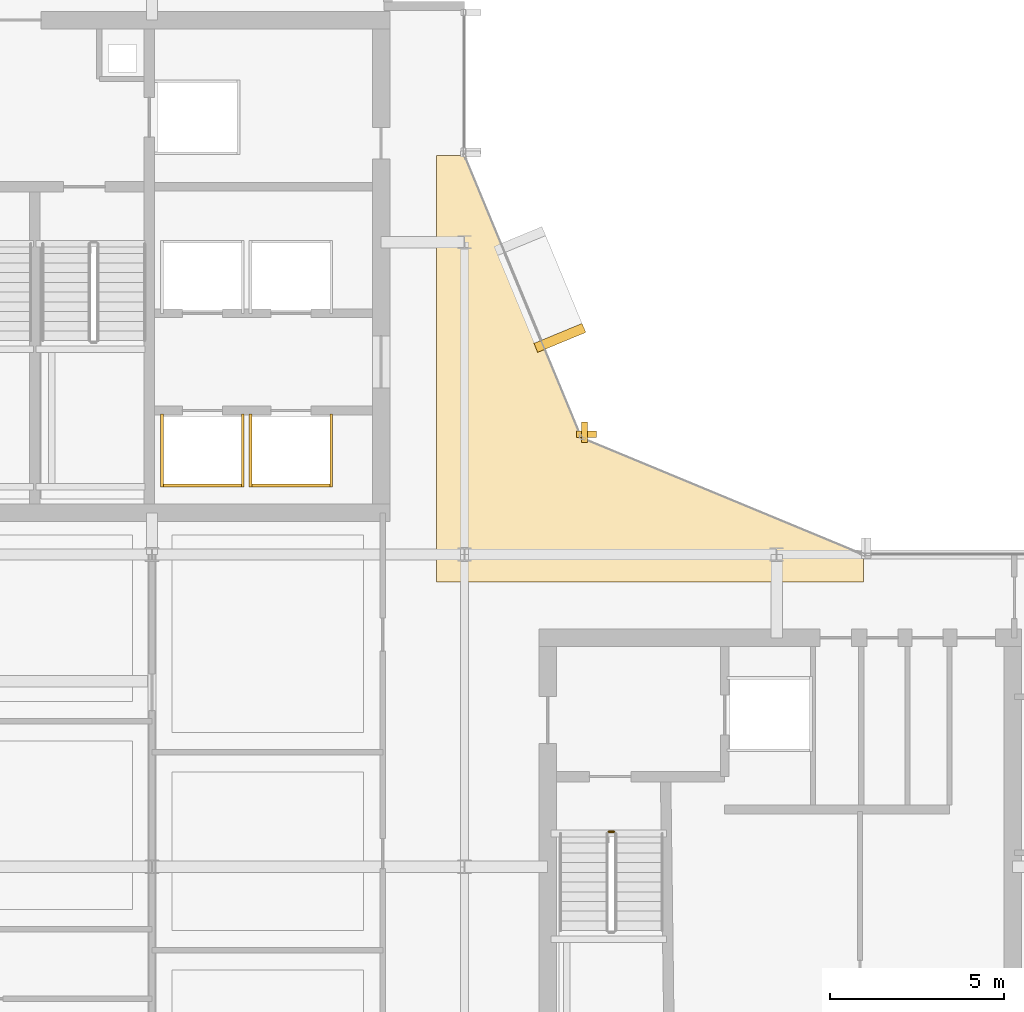
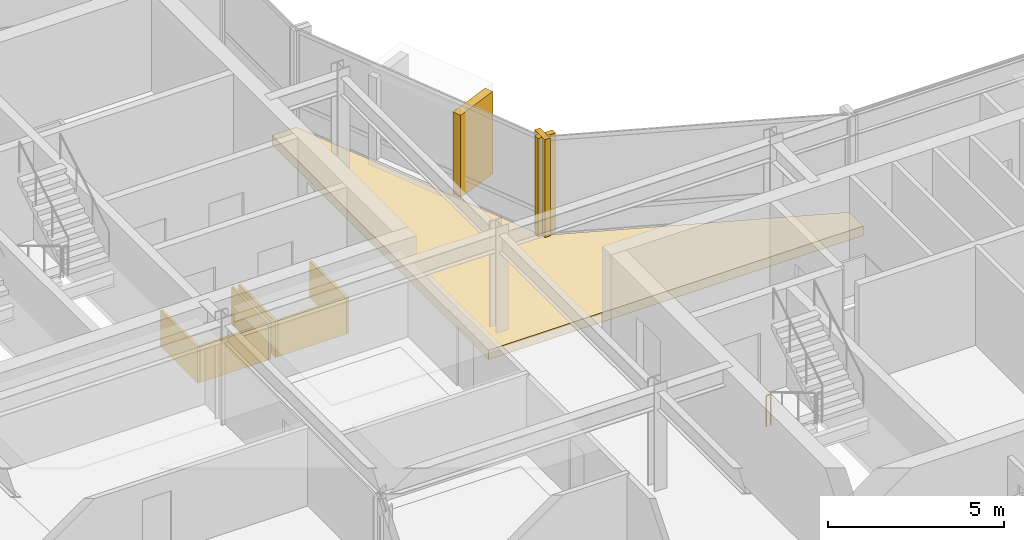
# One storey, part 26 of 28: 10 coverings, 1 railing.
"""IFC4 building model written with IfcOpenShell, lengths in metres."""

from ifc_helpers import new_model, si_unit, direction, frame, origin, origin_2d, place, context, subcontext, project, spatial, polyline, rectangle, circle, outline, extrude, material, layer, layer_set, type_object, element, save


model = new_model("IFC4")

# Units and contexts
model_context = context("Model", 3, precision=1e-05, world=origin(), true_north=direction((0.0, 1.0)))
body_context = subcontext(model_context, "Body", "Model", "MODEL_VIEW")
ifc_project = project(units=[si_unit("LENGTHUNIT", "METRE"), si_unit("AREAUNIT", "SQUARE_METRE"), si_unit("VOLUMEUNIT", "CUBIC_METRE"), si_unit("PLANEANGLEUNIT", "RADIAN"), si_unit("MASSUNIT", "GRAM", prefix="KILO")], contexts=[model_context])

# Site, building, storey
site_placement = place(None, origin())
site = spatial("IfcSite", under=ifc_project, at=site_placement, CompositionType="ELEMENT")
building_placement = place(site_placement, origin())
building = spatial("IfcBuilding", under=site, at=building_placement, Name="Solvaryn Broadcast Tower", CompositionType="ELEMENT")
storey_placement = place(building_placement, frame((0.0, 0.0, 213.60009765625)))
storey = spatial("IfcBuildingStorey", under=building, at=storey_placement, Name="L53", CompositionType="ELEMENT", Elevation=213.60009765625)

# Coverings
ifc_material_1 = material(Name="Fire-Rated Gypsum Shaftwall Liner", Category="concrete")
ifc_layer_1 = layer(ifc_material_1, 0.080078125)
ifc_layer_set_1 = layer_set([ifc_layer_1], Name="CV-SHAFT-LINER")
covering_type_1 = type_object("IfcCoveringType", Name="CV-SHAFT-LINER", PredefinedType="CLADDING", material=ifc_layer_set_1)
covering_1_placement = place(storey_placement, frame((19.449951171875, 28.985107421875, 0.0), z_axis=(0.0, 0.0, 1.0), x_axis=(1.0, 0.0, 0.0)))
element("IfcCovering", 1, at=covering_1_placement, inside=storey, type_object=covering_type_1, Name="L53 PH1 Hoistway Shaft Liner South", PredefinedType="CLADDING", context=body_context, shape_type="SweptSolid", body=[
    extrude(rectangle(XDim=2.409912109375, YDim=0.080078125, at=origin_2d()), origin(), (0.0, 0.0, 1.0), 1.25),
])
for number, where, z_axis, x_axis, name in (
    (2, (20.614990234375, 30.0, 0.0), (0.0, 0.0, 1.0), (1.0, 0.0, 0.0), "L53 PH1 Hoistway Shaft Liner East"),
    (3, (18.284912109375, 30.0, 0.0), (0.0, 0.0, 1.0), (1.0, 0.0, 0.0), "L53 PH1 Hoistway Shaft Liner West"),
):
    element("IfcCovering", number, at=place(storey_placement, frame(where, z_axis=z_axis, x_axis=x_axis)), inside=storey, type_object=covering_type_1, Name=name, PredefinedType="CLADDING", context=body_context, shape_type="SweptSolid", body=[
        extrude(rectangle(XDim=0.080078125, YDim=2.110107421875, at=origin_2d()), origin(), (0.0, 0.0, 1.0), 1.25),
    ])
covering_2_placement = place(storey_placement, frame((22.0, 28.985107421875, 0.0), z_axis=(0.0, 0.0, 1.0), x_axis=(1.0, 0.0, 0.0)))
element("IfcCovering", 4, at=covering_2_placement, inside=storey, type_object=covering_type_1, Name="L53 PH2 Hoistway Shaft Liner South", PredefinedType="CLADDING", context=body_context, shape_type="SweptSolid", body=[
    extrude(rectangle(XDim=2.409912109375, YDim=0.080078125, at=origin_2d()), origin(), (0.0, 0.0, 1.0), 1.25),
])
for number, where, z_axis, x_axis, name in (
    (5, (23.1650390625, 30.0, 0.0), (0.0, 0.0, 1.0), (1.0, 0.0, 0.0), "L53 PH2 Hoistway Shaft Liner East"),
    (6, (20.8349609375, 30.0, 0.0), (0.0, 0.0, 1.0), (1.0, 0.0, 0.0), "L53 PH2 Hoistway Shaft Liner West"),
):
    element("IfcCovering", number, at=place(storey_placement, frame(where, z_axis=z_axis, x_axis=x_axis)), inside=storey, type_object=covering_type_1, Name=name, PredefinedType="CLADDING", context=body_context, shape_type="SweptSolid", body=[
        extrude(rectangle(XDim=0.080078125, YDim=2.110107421875, at=origin_2d()), origin(), (0.0, 0.0, 1.0), 1.25),
    ])
ifc_material_2 = material(Name="Glazed Architectural Terracotta Rainscreen Cladding", Category="masonry")
ifc_layer_2 = layer(ifc_material_2, 0.280029296875)
ifc_layer_set_2 = layer_set([ifc_layer_2], Name="CV-TC-CLAD")
covering_type_2 = type_object("IfcCoveringType", Name="CV-TC-CLAD", PredefinedType="CLADDING", material=ifc_layer_set_2)
covering_3_placement = place(storey_placement, frame((29.751953125, 33.241943359375, 0.27978515625), z_axis=(0.0, 0.0, 1.0), x_axis=(-0.382683432365, 0.923879532511, 0.0)))
element("IfcCovering", 7, at=covering_3_placement, inside=storey, type_object=covering_type_2, Name="L53 Projecting Stone Window Box Cheek 5-1", PredefinedType="CLADDING", context=body_context, shape_type="SweptSolid", body=[
    extrude(rectangle(XDim=0.280029296875, YDim=1.5, at=origin_2d()), origin(), (0.0, 0.0, 1.0), 2.860107421875),
])
ifc_material_3 = material(Name="Extruded Architectural Terracotta Fin", Category="masonry")
ifc_layer_3 = layer(ifc_material_3, 0.179931640625)
ifc_layer_set_3 = layer_set([ifc_layer_3], Name="CV-TC-FIN")
covering_type_3 = type_object("IfcCoveringType", Name="CV-TC-FIN", PredefinedType="USERDEFINED", material=ifc_layer_set_3)
covering_4_placement = place(storey_placement, frame((30.464599609375, 30.52294921875, 0.0), z_axis=(0.0, 0.0, 1.0), x_axis=(1.0, 0.0, 0.0)))
element("IfcCovering", 8, at=covering_4_placement, inside=storey, type_object=covering_type_3, Name="L53 Terracotta Vertical Fin FIN-L53-CN1-M01", ObjectType="FIN", PredefinedType="USERDEFINED", context=body_context, shape_type="SweptSolid", body=[
    extrude(rectangle(XDim=0.179931640625, YDim=0.580078125, at=origin_2d()), origin(), (0.0, 0.0, 1.0), 3.419921875),
])
covering_5_placement = place(storey_placement, frame((30.52294921875, 30.464599609375, 0.0), z_axis=(0.0, 0.0, 1.0), x_axis=(1.0, 0.0, 0.0)))
element("IfcCovering", 9, at=covering_5_placement, inside=storey, type_object=covering_type_3, Name="L53 Terracotta Vertical Fin FIN-L53-CN2-M00", ObjectType="FIN", PredefinedType="USERDEFINED", context=body_context, shape_type="SweptSolid", body=[
    extrude(rectangle(XDim=0.580078125, YDim=0.179931640625, at=origin_2d()), origin(), (0.0, 0.0, 1.0), 3.419921875),
])
ifc_material_4 = material(Name="Sculpted Architectural Terracotta Wave Fascia", Category="masonry")
ifc_layer_4 = layer(ifc_material_4, 0.340087890625)
ifc_layer_set_4 = layer_set([ifc_layer_4], Name="CV-WAVE-TRAY")
covering_type_4 = type_object("IfcCoveringType", Name="CV-WAVE-TRAY", PredefinedType="CLADDING", material=ifc_layer_set_4)
covering_6_placement = place(storey_placement, frame((0.0, 0.0, -0.300048828125)))
element("IfcCovering", 10, at=covering_6_placement, inside=storey, type_object=covering_type_4, Name="L53 Concave Canyon Floor Apron", PredefinedType="CLADDING", context=body_context, shape_type="SweptSolid", body=[
    extrude(outline(polyline([(26.199951171875, 26.199951171875), (38.5, 26.199951171875), (38.5, 27.0), (30.367919921875, 30.367919921875), (27.0, 38.5), (26.199951171875, 38.5), (26.199951171875, 26.199951171875)])), origin(), (0.0, 0.0, 1.0), 0.329833984375),
])

# Railing
ifc_material_5 = material(Name="Painted Steel Stair Well Guard", Category="steel")
railing_type = type_object("IfcRailingType", Name="RL-STAIR-GUARD", PredefinedType="BALUSTRADE", material=ifc_material_5)
railing_placement = place(storey_placement, frame((31.159912109375, 19.010009765625, 0.0)))
element("IfcRailing", 11, at=railing_placement, inside=storey, type_object=railing_type, Name="L53 ST3 stair guard 4", PredefinedType="BALUSTRADE", context=body_context, shape_type="SweptSolid", body=[
    extrude(circle(Radius=0.02392578125, at=origin_2d()), frame((0.0, 0.0, 1.076171875), z_axis=(1.0, 0.0, 0.0), x_axis=(0.0, 1.0, 0.0)), (0.0, 0.0, 1.0), 0.150146484375),
    extrude(circle(Radius=0.02099609375, at=origin_2d()), origin(), (0.0, 0.0, 1.0), 1.052001953125),
    extrude(circle(Radius=0.02099609375, at=origin_2d()), frame((0.150146484375, 0.0, 0.0)), (0.0, 0.0, 1.0), 1.052001953125),
])

save(model, "model.ifc")
